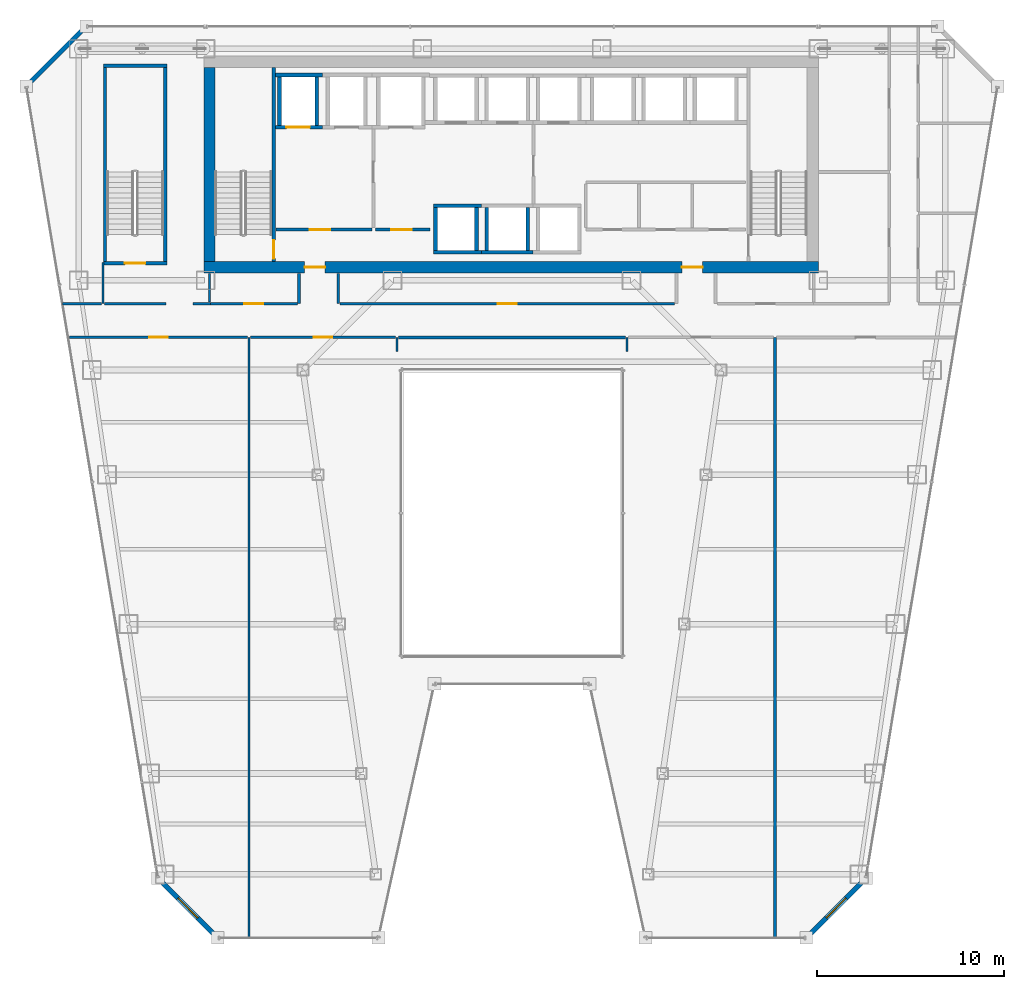
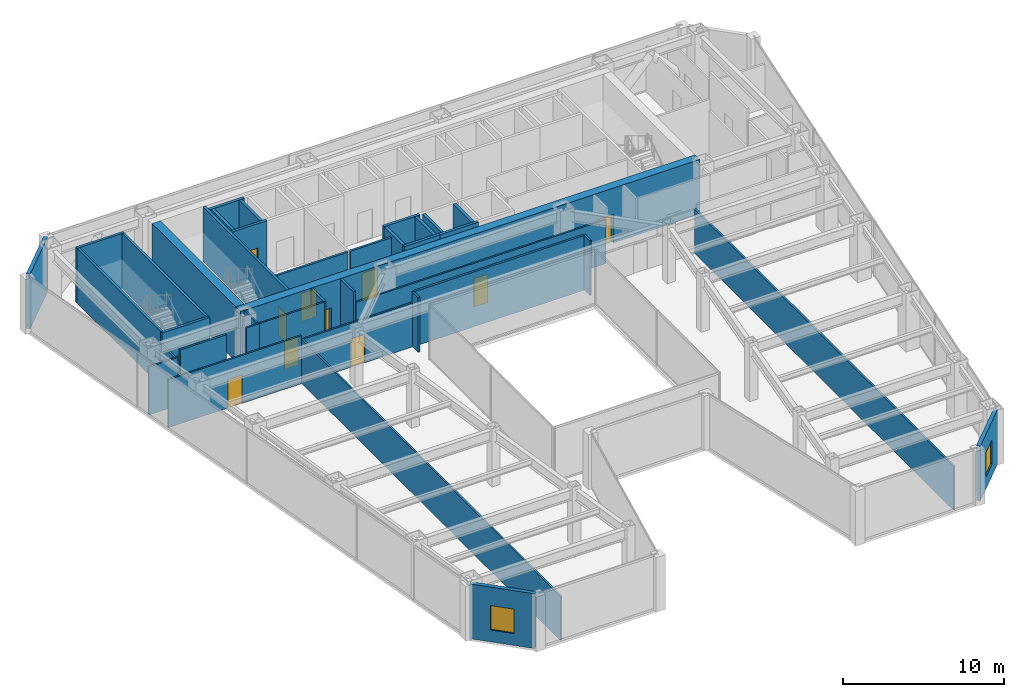
# One storey, part 32 of 37: 39 walls, 11 doors, 2 windows, 13 openings.
"""IFC4 building model written with IfcOpenShell, lengths in metres."""

from ifc_helpers import new_model, si_unit, direction, frame, frame_2d, origin, place, context, subcontext, project, spatial, rectangle, extrude, material, layer, layer_set, type_object, element, fill, save


model = new_model("IFC4")

# Units and contexts
model_context = context("Model", 3, precision=1e-05, world=origin(), true_north=direction((0.0, 1.0)))
body_context = subcontext(model_context, "Body", "Model", "MODEL_VIEW")
ifc_project = project(units=[si_unit("LENGTHUNIT", "METRE"), si_unit("AREAUNIT", "SQUARE_METRE"), si_unit("VOLUMEUNIT", "CUBIC_METRE"), si_unit("PLANEANGLEUNIT", "RADIAN"), si_unit("MASSUNIT", "GRAM", prefix="KILO")], contexts=[model_context])

# Site, building, storey
site_placement = place(None, origin())
site = spatial("IfcSite", under=ifc_project, at=site_placement, CompositionType="ELEMENT")
building_placement = place(site_placement, origin())
building = spatial("IfcBuilding", under=site, at=building_placement, Name="Saevonmaru Cultural Tower", CompositionType="ELEMENT")
storey_placement = place(building_placement, frame((0.0, 0.0, 110.39990234375)))
storey = spatial("IfcBuildingStorey", under=building, at=storey_placement, Name="L23", CompositionType="ELEMENT", Elevation=110.39990234375)

# Wall, openings, doors
ifc_material_1 = material(Name="Concrete C60/75", Category="concrete")
ifc_layer_1 = layer(ifc_material_1, 0.60009765625, Name="Concrete C60/75")
ifc_layer_set_1 = layer_set([ifc_layer_1], Name="Concrete C60/75")
wall_type_1 = type_object("IfcWallType", Name="WL-CORE-600", PredefinedType="SHEAR", material=ifc_layer_set_1)
wall_1_placement = place(storey_placement, frame((13.5, 43.10009765625, 0.0), z_axis=(0.0, 0.0, 1.0), x_axis=(1.0, 0.0, 0.0)))
wall_1 = element("IfcWall", 1, at=wall_1_placement, inside=storey, type_object=wall_type_1, Name="L23 Tower RC core shear wall S", PredefinedType="SHEAR", context=body_context, shape_type="SweptSolid", body=[
    extrude(rectangle(XDim=32.89990234375, YDim=0.60009765625, at=frame_2d((16.449951171875, 0.0))), origin(), (0.0, 0.0, 1.0), 4.150146484375),
])
opening_1_placement = place(wall_1_placement, frame((5.39990234375, 0.0, 0.0)))
opening_1 = element("IfcOpeningElement", 2, at=opening_1_placement, cuts=wall_1, Name="Opening FD-2", PredefinedType="OPENING", context=body_context, shape_type="SweptSolid", body=[
    extrude(rectangle(XDim=1.10009765625, YDim=2.14990234375, at=frame_2d((0.550048828125, 1.074951171875))), frame((0.0, 0.31005859375, 0.0), z_axis=(0.0, -1.0, 0.0), x_axis=(1.0, 0.0, 0.0)), (0.0, 0.0, 1.0), 0.6201171875),
])
opening_2_placement = place(wall_1_placement, frame((25.60009765625, 0.0, 0.0)))
opening_2 = element("IfcOpeningElement", 3, at=opening_2_placement, cuts=wall_1, Name="Opening FD-2", PredefinedType="OPENING", context=body_context, shape_type="SweptSolid", body=[
    extrude(rectangle(XDim=1.10009765625, YDim=2.14990234375, at=frame_2d((0.550048828125, 1.074951171875))), frame((0.0, 0.31005859375, 0.0), z_axis=(0.0, -1.0, 0.0), x_axis=(1.0, 0.0, 0.0)), (0.0, 0.0, 1.0), 0.6201171875),
])
ifc_material_2 = material(Name="Satin Bronze Anodised Aluminium", Category="aluminium")
door_type_1 = type_object("IfcDoorType", Name="DR-FD60-1100", OperationType="SINGLE_SWING_LEFT", PredefinedType="DOOR", material=ifc_material_2)
door_1_placement = place(opening_1_placement, origin())
door_1 = element("IfcDoor", 4, at=door_1_placement, inside=storey, type_object=door_type_1, Name="L23 Core West Lobby Fire Door", OperationType="SINGLE_SWING_LEFT", OverallHeight=2.14990234375, OverallWidth=1.10009765625, PredefinedType="DOOR", context=body_context, shape_type="SweptSolid", body=[
    extrude(rectangle(XDim=1.10009765625, YDim=2.14990234375, at=frame_2d((0.550048828125, 1.074951171875))), frame((0.0, 0.02490234375, 0.0), z_axis=(0.0, -1.0, 0.0), x_axis=(1.0, 0.0, 0.0)), (0.0, 0.0, 1.0), 0.050048828125),
])
fill(opening_1, door_1)
door_2_placement = place(opening_2_placement, origin())
door_2 = element("IfcDoor", 5, at=door_2_placement, inside=storey, type_object=door_type_1, Name="L23 Core East Lobby Fire Door", OperationType="SINGLE_SWING_LEFT", OverallHeight=2.14990234375, OverallWidth=1.10009765625, PredefinedType="DOOR", context=body_context, shape_type="SweptSolid", body=[
    extrude(rectangle(XDim=1.10009765625, YDim=2.14990234375, at=frame_2d((0.550048828125, 1.074951171875))), frame((0.0, 0.02490234375, 0.0), z_axis=(0.0, -1.0, 0.0), x_axis=(1.0, 0.0, 0.0)), (0.0, 0.0, 1.0), 0.050048828125),
])
fill(opening_2, door_2)

# Wall
wall_2_placement = place(storey_placement, frame((13.800048828125, 43.39990234375, 0.0), z_axis=(0.0, 0.0, 1.0), x_axis=(0.0, 1.0, 0.0)))
element("IfcWall", 6, at=wall_2_placement, inside=storey, type_object=wall_type_1, Name="L23 Tower RC core shear wall W", PredefinedType="SHEAR", context=body_context, shape_type="SweptSolid", body=[
    extrude(rectangle(XDim=10.400146484375, YDim=0.60009765625, at=frame_2d((5.2001953125, 0.0))), origin(), (0.0, 0.0, 1.0), 4.150146484375),
])

# Wall, opening, door
ifc_material_3 = material(Name="Gypsum Fireboard Partition", Category="gypsum")
ifc_layer_2 = layer(ifc_material_3, 0.14990234375, Name="Gypsum Fireboard Partition")
ifc_layer_set_2 = layer_set([ifc_layer_2], Name="Gypsum Fireboard Partition")
wall_type_2 = type_object("IfcWallType", Name="WL-CORE-PART-150", PredefinedType="PARTITIONING", material=ifc_layer_set_2)
wall_3_placement = place(storey_placement, frame((17.360107421875, 45.1201171875, 0.0), z_axis=(0.0, 0.0, 1.0), x_axis=(1.0, 0.0, 0.0)))
wall_3 = element("IfcWall", 7, at=wall_3_placement, inside=storey, type_object=wall_type_2, Name="L23 Firefighting Lift Lobby South Wall", PredefinedType="PARTITIONING", context=body_context, shape_type="SweptSolid", body=[
    extrude(rectangle(XDim=5.139892578125, YDim=0.14990234375, at=frame_2d((2.56982421875, 0.0))), origin(), (0.0, 0.0, 1.0), 4.150146484375),
])
opening_3_placement = place(wall_3_placement, frame((1.800048828125, 0.0, 0.0)))
opening_3 = element("IfcOpeningElement", 8, at=opening_3_placement, cuts=wall_3, Name="Opening FD-2", PredefinedType="OPENING", context=body_context, shape_type="SweptSolid", body=[
    extrude(rectangle(XDim=1.10009765625, YDim=2.14990234375, at=frame_2d((0.550048828125, 1.074951171875))), frame((0.0, 0.0849609375, 0.0), z_axis=(0.0, -1.0, 0.0), x_axis=(1.0, 0.0, 0.0)), (0.0, 0.0, 1.0), 0.169921875),
])
door_3_placement = place(opening_3_placement, origin())
door_3 = element("IfcDoor", 9, at=door_3_placement, inside=storey, type_object=door_type_1, Name="L23 Firefighting Lift Lobby South Door", OperationType="SINGLE_SWING_LEFT", OverallHeight=2.14990234375, OverallWidth=1.10009765625, PredefinedType="DOOR", context=body_context, shape_type="SweptSolid", body=[
    extrude(rectangle(XDim=1.10009765625, YDim=2.14990234375, at=frame_2d((0.550048828125, 1.074951171875))), frame((0.0, 0.02490234375, 0.0), z_axis=(0.0, -1.0, 0.0), x_axis=(1.0, 0.0, 0.0)), (0.0, 0.0, 1.0), 0.050048828125),
])
fill(opening_3, door_3)

wall_4_placement = place(storey_placement, frame((22.679931640625, 45.1201171875, 0.0), z_axis=(0.0, 0.0, 1.0), x_axis=(1.0, 0.0, 0.0)))
wall_4 = element("IfcWall", 10, at=wall_4_placement, inside=storey, type_object=wall_type_2, Name="L23 Service Lift Vestibule Wall", PredefinedType="PARTITIONING", context=body_context, shape_type="SweptSolid", body=[
    extrude(rectangle(XDim=2.920166015625, YDim=0.14990234375, at=frame_2d((1.4599609375, 0.0))), origin(), (0.0, 0.0, 1.0), 4.150146484375),
])
opening_4_placement = place(wall_4_placement, frame((0.85009765625, 0.0, 0.0)))
opening_4 = element("IfcOpeningElement", 11, at=opening_4_placement, cuts=wall_4, Name="Opening FD-2", PredefinedType="OPENING", context=body_context, shape_type="SweptSolid", body=[
    extrude(rectangle(XDim=1.10009765625, YDim=2.14990234375, at=frame_2d((0.550048828125, 1.074951171875))), frame((0.0, 0.0849609375, 0.0), z_axis=(0.0, -1.0, 0.0), x_axis=(1.0, 0.0, 0.0)), (0.0, 0.0, 1.0), 0.169921875),
])
door_4_placement = place(opening_4_placement, origin())
door_4 = element("IfcDoor", 12, at=door_4_placement, inside=storey, type_object=door_type_1, Name="L23 Service Lift Vestibule Door", OperationType="SINGLE_SWING_LEFT", OverallHeight=2.14990234375, OverallWidth=1.10009765625, PredefinedType="DOOR", context=body_context, shape_type="SweptSolid", body=[
    extrude(rectangle(XDim=1.10009765625, YDim=2.14990234375, at=frame_2d((0.550048828125, 1.074951171875))), frame((0.0, 0.02490234375, 0.0), z_axis=(0.0, -1.0, 0.0), x_axis=(1.0, 0.0, 0.0)), (0.0, 0.0, 1.0), 0.050048828125),
])
fill(opening_4, door_4)

# Wall, opening, window
ifc_material_4 = material(Name="Granite-Clad Precast Concrete C40/50", Category="masonry")
ifc_layer_3 = layer(ifc_material_4, 0.260009765625, Name="Granite-Clad Precast Concrete C40/50")
ifc_layer_set_3 = layer_set([ifc_layer_3], Name="Granite-Clad Precast Concrete C40/50")
wall_type_3 = type_object("IfcWallType", Name="WL-EXT-SPANDREL-260", PredefinedType="STANDARD", material=ifc_layer_set_3)
wall_5_placement = place(storey_placement, frame((11.162109375, 10.286865234375, 0.0), z_axis=(0.0, 0.0, 1.0), x_axis=(0.70707775441, -0.707135806771, 0.0)))
wall_5 = element("IfcWall", 13, at=wall_5_placement, inside=storey, type_object=wall_type_3, Name="L23 Chamfer Corner Spandrel Wall E1", PredefinedType="STANDARD", context=body_context, shape_type="SweptSolid", body=[
    extrude(rectangle(XDim=4.20556640625, YDim=0.260009765625, at=frame_2d((2.102783203125, 0.0))), origin(), (0.0, 0.0, 1.0), 4.150146484375),
])
opening_5_placement = place(wall_5_placement, frame((1.35302734375, 0.0, 0.89990234375)))
opening_5 = element("IfcOpeningElement", 14, at=opening_5_placement, cuts=wall_5, Name="Opening W-2B", PredefinedType="OPENING", context=body_context, shape_type="SweptSolid", body=[
    extrude(rectangle(XDim=1.5, YDim=1.85009765625, at=frame_2d((0.75, 0.925048828125))), frame((0.0, 0.14013671875, 0.0), z_axis=(0.0, -1.0, 0.0), x_axis=(1.0, 0.0, 0.0)), (0.0, 0.0, 1.0), 0.280029296875),
])
window_type = type_object("IfcWindowType", Name="WN-DECO-1500x1850", PartitioningType="SINGLE_PANEL", PredefinedType="WINDOW", material=ifc_material_2)
window_1_placement = place(opening_5_placement, origin())
window_1 = element("IfcWindow", 15, at=window_1_placement, inside=storey, type_object=window_type, Name="L23 Chamfer Corner Bronze Window E1", OverallHeight=1.85009765625, OverallWidth=1.5, PartitioningType="SINGLE_PANEL", PredefinedType="WINDOW", context=body_context, shape_type="SweptSolid", body=[
    extrude(rectangle(XDim=1.5, YDim=1.85009765625, at=frame_2d((0.75, 0.925048828125))), frame((0.0, 0.030029296875, 0.0), z_axis=(0.0, -1.0, 0.0), x_axis=(1.0, 0.0, 0.0)), (0.0, 0.0, 1.0), 0.06005859375),
])
fill(opening_5, window_1)

wall_6_placement = place(storey_placement, frame((45.8642578125, 7.31298828125, 0.0), z_axis=(0.0, 0.0, 1.0), x_axis=(0.70707775441, 0.707135806771, 0.0)))
wall_6 = element("IfcWall", 16, at=wall_6_placement, inside=storey, type_object=wall_type_3, Name="L23 Chamfer Corner Spandrel Wall E7", PredefinedType="STANDARD", context=body_context, shape_type="SweptSolid", body=[
    extrude(rectangle(XDim=4.20556640625, YDim=0.260009765625, at=frame_2d((2.102783203125, 0.0))), origin(), (0.0, 0.0, 1.0), 4.150146484375),
])
opening_6_placement = place(wall_6_placement, frame((1.35302734375, 0.0, 0.89990234375)))
opening_6 = element("IfcOpeningElement", 17, at=opening_6_placement, cuts=wall_6, Name="Opening W-2B", PredefinedType="OPENING", context=body_context, shape_type="SweptSolid", body=[
    extrude(rectangle(XDim=1.5, YDim=1.85009765625, at=frame_2d((0.75, 0.925048828125))), frame((0.0, 0.14013671875, 0.0), z_axis=(0.0, -1.0, 0.0), x_axis=(1.0, 0.0, 0.0)), (0.0, 0.0, 1.0), 0.280029296875),
])
window_2_placement = place(opening_6_placement, origin())
window_2 = element("IfcWindow", 18, at=window_2_placement, inside=storey, type_object=window_type, Name="L23 Chamfer Corner Bronze Window E7", OverallHeight=1.85009765625, OverallWidth=1.5, PartitioningType="SINGLE_PANEL", PredefinedType="WINDOW", context=body_context, shape_type="SweptSolid", body=[
    extrude(rectangle(XDim=1.5, YDim=1.85009765625, at=frame_2d((0.75, 0.925048828125))), frame((0.0, 0.030029296875, 0.0), z_axis=(0.0, -1.0, 0.0), x_axis=(1.0, 0.0, 0.0)), (0.0, 0.0, 1.0), 0.06005859375),
])
fill(opening_6, window_2)

# Walls
wall_7_placement = place(storey_placement, frame((7.0869140625, 55.886962890625, 0.0), z_axis=(0.0, 0.0, 1.0), x_axis=(-0.707106781187, -0.707106781187, 0.0)))
element("IfcWall", 19, at=wall_7_placement, inside=storey, type_object=wall_type_3, Name="L23 Chamfer Corner Spandrel Wall E11", PredefinedType="STANDARD", context=body_context, shape_type="SweptSolid", body=[
    extrude(rectangle(XDim=4.205810546875, YDim=0.260009765625, at=frame_2d((2.10302734375, 0.0))), origin(), (0.0, 0.0, 1.0), 4.150146484375),
])
ifc_layer_4 = layer(ifc_material_3, 0.14990234375, Name="Gypsum Fireboard Partition")
ifc_layer_set_4 = layer_set([ifc_layer_4], Name="Gypsum Fireboard Partition")
wall_type_4 = type_object("IfcWallType", Name="WL-PART-FIRE-150", PredefinedType="PARTITIONING", material=ifc_layer_set_4)
wall_8_placement = place(storey_placement, frame((8.179931640625, 41.14990234375, 0.0), z_axis=(0.0, 0.0, 1.0), x_axis=(1.0, 0.0, 0.0)))
element("IfcWall", 20, at=wall_8_placement, inside=storey, type_object=wall_type_4, Name="L23 Stair ST-3 South Vestibule Wall", PredefinedType="PARTITIONING", context=body_context, shape_type="SweptSolid", body=[
    extrude(rectangle(XDim=3.300048828125, YDim=0.14990234375, at=frame_2d((1.64990234375, 0.0))), origin(), (0.0, 0.0, 1.0), 4.150146484375),
])
for number, where, z_axis, x_axis, name in (
    (21, (18.60009765625, 41.14990234375, 0.0), (0.0, 0.0, 1.0), (0.0, 1.0, 0.0), "L23 Core Portal Side Wall W1"),
    (22, (20.699951171875, 41.14990234375, 0.0), (0.0, 0.0, 1.0), (0.0, 1.0, 0.0), "L23 Core Portal Side Wall W2"),
):
    element("IfcWall", number, at=place(storey_placement, frame(where, z_axis=z_axis, x_axis=x_axis)), inside=storey, type_object=wall_type_4, Name=name, PredefinedType="PARTITIONING", context=body_context, shape_type="SweptSolid", body=[
        extrude(rectangle(XDim=1.630126953125, YDim=0.14990234375, at=frame_2d((0.81494140625, 0.0))), origin(), (0.0, 0.0, 1.0), 4.150146484375),
    ])
wall_9_placement = place(storey_placement, frame((23.929931640625, 39.35009765625, 0.0), z_axis=(0.0, 0.0, 1.0), x_axis=(1.0, 0.0, 0.0)))
element("IfcWall", 23, at=wall_9_placement, inside=storey, type_object=wall_type_4, Name="L23 North Atrium Corridor Wall", PredefinedType="PARTITIONING", context=body_context, shape_type="SweptSolid", body=[
    extrude(rectangle(XDim=12.14013671875, YDim=0.14990234375, at=frame_2d((6.070068359375, 0.0))), origin(), (0.0, 0.0, 1.0), 4.150146484375),
])
ifc_layer_5 = layer(ifc_material_3, 0.1201171875, Name="Gypsum Fireboard Partition")
ifc_layer_set_5 = layer_set([ifc_layer_5], Name="Gypsum Fireboard Partition")
wall_type_5 = type_object("IfcWallType", Name="WL-PART-GYP-120", PredefinedType="PARTITIONING", material=ifc_layer_set_5)
wall_10_placement = place(storey_placement, frame((12.919921875, 41.14990234375, 0.0), z_axis=(0.0, 0.0, 1.0), x_axis=(1.0, 0.0, 0.0)))
element("IfcWall", 24, at=wall_10_placement, inside=storey, type_object=wall_type_5, Name="L23 NW Inner South Wall", PredefinedType="PARTITIONING", context=body_context, shape_type="SweptSolid", body=[
    extrude(rectangle(XDim=0.93017578125, YDim=0.1201171875, at=frame_2d((0.465087890625, 0.0))), origin(), (0.0, 0.0, 1.0), 4.150146484375),
])
wall_11_placement = place(storey_placement, frame((13.800048828125, 41.22998046875, 0.0), z_axis=(0.0, 0.0, 1.0), x_axis=(0.0, 1.0, 0.0)))
element("IfcWall", 25, at=wall_11_placement, inside=storey, type_object=wall_type_5, Name="L23 NW Inner Core Return", PredefinedType="PARTITIONING", context=body_context, shape_type="SweptSolid", body=[
    extrude(rectangle(XDim=1.550048828125, YDim=0.1201171875, at=frame_2d((0.77490234375, 0.0))), origin(), (0.0, 0.0, 1.0), 4.150146484375),
])
wall_12_placement = place(storey_placement, frame((8.10009765625, 41.14990234375, 0.0), z_axis=(0.0, 0.0, 1.0), x_axis=(0.0, 1.0, 0.0)))
element("IfcWall", 26, at=wall_12_placement, inside=storey, type_object=wall_type_5, Name="L23 NW Stair Return", PredefinedType="PARTITIONING", context=body_context, shape_type="SweptSolid", body=[
    extrude(rectangle(XDim=2.2001953125, YDim=0.1201171875, at=frame_2d((1.10009765625, 0.0))), origin(), (0.0, 0.0, 1.0), 3.335205078125),
])
wall_13_placement = place(storey_placement, frame((5.94189453125, 41.14990234375, 0.0), z_axis=(0.0, 0.0, 1.0), x_axis=(1.0, 0.0, 0.0)))
element("IfcWall", 27, at=wall_13_placement, inside=storey, type_object=wall_type_5, Name="L23 Panoramic Salon Restaurant Corridor Wall", PredefinedType="PARTITIONING", context=body_context, shape_type="SweptSolid", body=[
    extrude(rectangle(XDim=2.078125, YDim=0.1201171875, at=frame_2d((1.0390625, 0.0))), origin(), (0.0, 0.0, 1.0), 3.635009765625),
])

# Wall, opening, door
wall_14_placement = place(storey_placement, frame((13.85009765625, 41.14990234375, 0.0), z_axis=(0.0, 0.0, 1.0), x_axis=(1.0, 0.0, 0.0)))
wall_14 = element("IfcWall", 28, at=wall_14_placement, inside=storey, type_object=wall_type_5, Name="L23 Museum Espresso Cafe Corridor Wall", PredefinedType="PARTITIONING", context=body_context, shape_type="SweptSolid", body=[
    extrude(rectangle(XDim=4.65478515625, YDim=0.1201171875, at=frame_2d((2.327392578125, 0.0))), origin(), (0.0, 0.0, 1.0), 4.150146484375),
])
opening_7_placement = place(wall_14_placement, frame((1.826904296875, 0.0, 0.0)))
opening_7 = element("IfcOpeningElement", 29, at=opening_7_placement, cuts=wall_14, Name="Opening ID-1B", PredefinedType="OPENING", context=body_context, shape_type="SweptSolid", body=[
    extrude(rectangle(XDim=1.0, YDim=2.14990234375, at=frame_2d((0.5, 1.074951171875))), frame((0.0, 0.070068359375, 0.0), z_axis=(0.0, -1.0, 0.0), x_axis=(1.0, 0.0, 0.0)), (0.0, 0.0, 1.0), 0.14013671875),
])
ifc_material_5 = material(Name="Acoustic Stained Oak Timber", Category="wood")
door_type_2 = type_object("IfcDoorType", Name="DR-INT-1000", OperationType="SINGLE_SWING_RIGHT", PredefinedType="DOOR", material=ifc_material_5)
door_5_placement = place(opening_7_placement, origin())
door_5 = element("IfcDoor", 30, at=door_5_placement, inside=storey, type_object=door_type_2, Name="L23 Museum Espresso Cafe Door", OperationType="SINGLE_SWING_LEFT", OverallHeight=2.14990234375, OverallWidth=1.0, PredefinedType="DOOR", context=body_context, shape_type="SweptSolid", body=[
    extrude(rectangle(XDim=1.0, YDim=2.14990234375, at=frame_2d((0.5, 1.074951171875))), frame((0.0, 0.02490234375, 0.0), z_axis=(0.0, -1.0, 0.0), x_axis=(1.0, 0.0, 0.0)), (0.0, 0.0, 1.0), 0.050048828125),
])
fill(opening_7, door_5)

wall_15_placement = place(storey_placement, frame((20.794921875, 41.14990234375, 0.0), z_axis=(0.0, 0.0, 1.0), x_axis=(1.0, 0.0, 0.0)))
wall_15 = element("IfcWall", 31, at=wall_15_placement, inside=storey, type_object=wall_type_5, Name="L23 Panoramic Salon Restaurant Corridor Wall", PredefinedType="PARTITIONING", context=body_context, shape_type="SweptSolid", body=[
    extrude(rectangle(XDim=17.91015625, YDim=0.1201171875, at=frame_2d((8.955078125, 0.0))), origin(), (0.0, 0.0, 1.0), 3.335205078125),
])
opening_8_placement = place(wall_15_placement, frame((8.455078125, 0.0, 0.0)))
opening_8 = element("IfcOpeningElement", 32, at=opening_8_placement, cuts=wall_15, Name="Opening ID-1B", PredefinedType="OPENING", context=body_context, shape_type="SweptSolid", body=[
    extrude(rectangle(XDim=1.0, YDim=2.14990234375, at=frame_2d((0.5, 1.074951171875))), frame((0.0, 0.070068359375, 0.0), z_axis=(0.0, -1.0, 0.0), x_axis=(1.0, 0.0, 0.0)), (0.0, 0.0, 1.0), 0.14013671875),
])
door_6_placement = place(opening_8_placement, origin())
door_6 = element("IfcDoor", 33, at=door_6_placement, inside=storey, type_object=door_type_2, Name="L23 Panoramic Salon Restaurant Door", OperationType="SINGLE_SWING_RIGHT", OverallHeight=2.14990234375, OverallWidth=1.0, PredefinedType="DOOR", context=body_context, shape_type="SweptSolid", body=[
    extrude(rectangle(XDim=1.0, YDim=2.14990234375, at=frame_2d((0.5, 1.074951171875))), frame((0.0, 0.02490234375, 0.0), z_axis=(0.0, -1.0, 0.0), x_axis=(1.0, 0.0, 0.0)), (0.0, 0.0, 1.0), 0.050048828125),
])
fill(opening_8, door_6)

# Walls
wall_16_placement = place(storey_placement, frame((15.919921875, 7.205078125, 0.0), z_axis=(0.0, 0.0, 1.0), x_axis=(0.0, 1.0, 0.0)))
element("IfcWall", 34, at=wall_16_placement, inside=storey, type_object=wall_type_5, Name="L23 West Bay Divider 1", PredefinedType="PARTITIONING", context=body_context, shape_type="SweptSolid", body=[
    extrude(rectangle(XDim=32.14501953125, YDim=0.1201171875, at=frame_2d((16.072509765625, 0.0))), origin(), (0.0, 0.0, 1.0), 3.335205078125),
])
for number, where, z_axis, x_axis, name in (
    (35, (23.85009765625, 38.60009765625, 0.0), (0.0, 0.0, 1.0), (0.0, 1.0, 0.0), "L23 North Atrium West Wall"),
    (36, (36.14990234375, 38.60009765625, 0.0), (0.0, 0.0, 1.0), (0.0, 1.0, 0.0), "L23 North Atrium East Wall"),
):
    element("IfcWall", number, at=place(storey_placement, frame(where, z_axis=z_axis, x_axis=x_axis)), inside=storey, type_object=wall_type_5, Name=name, PredefinedType="PARTITIONING", context=body_context, shape_type="SweptSolid", body=[
        extrude(rectangle(XDim=0.75, YDim=0.1201171875, at=frame_2d((0.375, 0.0))), origin(), (0.0, 0.0, 1.0), 4.150146484375),
    ])

# Wall, opening, door
wall_17_placement = place(storey_placement, frame((6.304931640625, 39.35009765625, 0.0), z_axis=(0.0, 0.0, 1.0), x_axis=(1.0, 0.0, 0.0)))
wall_17 = element("IfcWall", 37, at=wall_17_placement, inside=storey, type_object=wall_type_5, Name="L23 Museum Espresso Cafe Corridor Wall", PredefinedType="PARTITIONING", context=body_context, shape_type="SweptSolid", body=[
    extrude(rectangle(XDim=9.53515625, YDim=0.1201171875, at=frame_2d((4.767578125, 0.0))), origin(), (0.0, 0.0, 1.0), 3.635009765625),
])
opening_9_placement = place(wall_17_placement, frame((4.26806640625, 0.0, 0.0)))
opening_9 = element("IfcOpeningElement", 38, at=opening_9_placement, cuts=wall_17, Name="Opening ID-1B", PredefinedType="OPENING", context=body_context, shape_type="SweptSolid", body=[
    extrude(rectangle(XDim=1.0, YDim=2.14990234375, at=frame_2d((0.5, 1.074951171875))), frame((0.0, 0.070068359375, 0.0), z_axis=(0.0, -1.0, 0.0), x_axis=(1.0, 0.0, 0.0)), (0.0, 0.0, 1.0), 0.14013671875),
])
door_7_placement = place(opening_9_placement, origin())
door_7 = element("IfcDoor", 39, at=door_7_placement, inside=storey, type_object=door_type_2, Name="L23 Museum Espresso Cafe Door", OperationType="SINGLE_SWING_RIGHT", OverallHeight=2.14990234375, OverallWidth=1.0, PredefinedType="DOOR", context=body_context, shape_type="SweptSolid", body=[
    extrude(rectangle(XDim=1.0, YDim=2.14990234375, at=frame_2d((0.5, 1.074951171875))), frame((0.0, 0.02490234375, 0.0), z_axis=(0.0, -1.0, 0.0), x_axis=(1.0, 0.0, 0.0)), (0.0, 0.0, 1.0), 0.050048828125),
])
fill(opening_9, door_7)

wall_18_placement = place(storey_placement, frame((16.0, 39.35009765625, 0.0), z_axis=(0.0, 0.0, 1.0), x_axis=(1.0, 0.0, 0.0)))
wall_18 = element("IfcWall", 40, at=wall_18_placement, inside=storey, type_object=wall_type_5, Name="L23 Panoramic Salon Restaurant Corridor Wall", PredefinedType="PARTITIONING", context=body_context, shape_type="SweptSolid", body=[
    extrude(rectangle(XDim=7.77001953125, YDim=0.1201171875, at=frame_2d((3.885009765625, 0.0))), origin(), (0.0, 0.0, 1.0), 3.335205078125),
])
opening_10_placement = place(wall_18_placement, frame((3.385009765625, 0.0, 0.0)))
opening_10 = element("IfcOpeningElement", 41, at=opening_10_placement, cuts=wall_18, Name="Opening ID-1B", PredefinedType="OPENING", context=body_context, shape_type="SweptSolid", body=[
    extrude(rectangle(XDim=1.0, YDim=2.14990234375, at=frame_2d((0.5, 1.074951171875))), frame((0.0, 0.070068359375, 0.0), z_axis=(0.0, -1.0, 0.0), x_axis=(1.0, 0.0, 0.0)), (0.0, 0.0, 1.0), 0.14013671875),
])
door_8_placement = place(opening_10_placement, origin())
door_8 = element("IfcDoor", 42, at=door_8_placement, inside=storey, type_object=door_type_2, Name="L23 Panoramic Salon Restaurant Door", OperationType="SINGLE_SWING_LEFT", OverallHeight=2.14990234375, OverallWidth=1.0, PredefinedType="DOOR", context=body_context, shape_type="SweptSolid", body=[
    extrude(rectangle(XDim=1.0, YDim=2.14990234375, at=frame_2d((0.5, 1.074951171875))), frame((0.0, 0.02490234375, 0.0), z_axis=(0.0, -1.0, 0.0), x_axis=(1.0, 0.0, 0.0)), (0.0, 0.0, 1.0), 0.050048828125),
])
fill(opening_10, door_8)

# Wall
ifc_layer_6 = layer(ifc_material_3, 0.135009765625, Name="Gypsum Fireboard Partition")
ifc_layer_set_6 = layer_set([ifc_layer_6], Name="Gypsum Fireboard Partition")
wall_type_6 = type_object("IfcWallType", Name="WL-PART-GYP-135", PredefinedType="PARTITIONING", material=ifc_layer_set_6)
wall_19_placement = place(storey_placement, frame((44.080078125, 7.205078125, 0.0), z_axis=(0.0, 0.0, 1.0), x_axis=(0.0, 1.0, 0.0)))
element("IfcWall", 43, at=wall_19_placement, inside=storey, type_object=wall_type_6, Name="L23 East Bay Divider 1", PredefinedType="PARTITIONING", context=body_context, shape_type="SweptSolid", body=[
    extrude(rectangle(XDim=32.14501953125, YDim=0.135009765625, at=frame_2d((16.072509765625, 0.0))), origin(), (0.0, 0.0, 1.0), 3.335205078125),
])

# Wall, opening, door
ifc_material_6 = material(Name="Concrete C40/50", Category="concrete")
ifc_layer_7 = layer(ifc_material_6, 0.199951171875, Name="Concrete C40/50")
ifc_layer_set_7 = layer_set([ifc_layer_7], Name="Concrete C40/50")
wall_type_7 = type_object("IfcWallType", Name="WL-SHAFT-200", PredefinedType="SHEAR", material=ifc_layer_set_7)
wall_20_placement = place(storey_placement, frame((17.330078125, 50.60009765625, 0.0), z_axis=(0.0, 0.0, 1.0), x_axis=(1.0, 0.0, 0.0)))
wall_20 = element("IfcWall", 44, at=wall_20_placement, inside=storey, type_object=wall_type_7, Name="L23 Lift FFL-1 Hoistway Wall S", PredefinedType="SHEAR", context=body_context, shape_type="SweptSolid", body=[
    extrude(rectangle(XDim=2.52001953125, YDim=0.199951171875, at=frame_2d((1.260009765625, 0.0))), origin(), (0.0, 0.0, 1.0), 4.150146484375),
])
opening_11_placement = place(wall_20_placement, frame((0.594970703125, 0.0, 0.0)))
opening_11 = element("IfcOpeningElement", 45, at=opening_11_placement, cuts=wall_20, Name="Opening LD-2", PredefinedType="OPENING", context=body_context, shape_type="SweptSolid", body=[
    extrude(rectangle(XDim=1.25, YDim=2.300048828125, at=frame_2d((0.625, 1.14990234375))), frame((0.0, 0.10986328125, 0.0), z_axis=(0.0, -1.0, 0.0), x_axis=(1.0, 0.0, 0.0)), (0.0, 0.0, 1.0), 0.219970703125),
])
ifc_material_7 = material(Name="Stainless Steel 316", Category="steel")
door_type_3 = type_object("IfcDoorType", Name="DR-LIFT-1250", OperationType="SLIDING_TO_LEFT", PredefinedType="DOOR", material=ifc_material_7)
door_9_placement = place(opening_11_placement, origin())
door_9 = element("IfcDoor", 46, at=door_9_placement, inside=storey, type_object=door_type_3, Name="L23 Lift FFL-1 Sliding Landing Door", OperationType="SLIDING_TO_LEFT", OverallHeight=2.300048828125, OverallWidth=1.25, PredefinedType="DOOR", context=body_context, shape_type="SweptSolid", body=[
    extrude(rectangle(XDim=1.25, YDim=2.300048828125, at=frame_2d((0.625, 1.14990234375))), frame((0.0, 0.02490234375, 0.0), z_axis=(0.0, -1.0, 0.0), x_axis=(1.0, 0.0, 0.0)), (0.0, 0.0, 1.0), 0.050048828125),
])
fill(opening_11, door_9)

# Walls
wall_21_placement = place(storey_placement, frame((17.330078125, 53.39990234375, 0.0), z_axis=(0.0, 0.0, 1.0), x_axis=(1.0, 0.0, 0.0)))
element("IfcWall", 47, at=wall_21_placement, inside=storey, type_object=wall_type_7, Name="L23 Lift FFL-1 Hoistway Wall N", PredefinedType="SHEAR", context=body_context, shape_type="SweptSolid", body=[
    extrude(rectangle(XDim=2.52001953125, YDim=0.199951171875, at=frame_2d((1.260009765625, 0.0))), origin(), (0.0, 0.0, 1.0), 4.150146484375),
])
for number, where, z_axis, x_axis, name in (
    (48, (17.550048828125, 50.699951171875, 0.0), (0.0, 0.0, 1.0), (0.0, 1.0, 0.0), "L23 Lift FFL-1 Hoistway Wall W"),
    (49, (19.550048828125, 50.699951171875, 0.0), (0.0, 0.0, 1.0), (0.0, 1.0, 0.0), "L23 Lift FFL-1 Hoistway Wall E"),
):
    element("IfcWall", number, at=place(storey_placement, frame(where, z_axis=z_axis, x_axis=x_axis)), inside=storey, type_object=wall_type_7, Name=name, PredefinedType="SHEAR", context=body_context, shape_type="SweptSolid", body=[
        extrude(rectangle(XDim=2.60009765625, YDim=0.199951171875, at=frame_2d((1.300048828125, 0.0))), origin(), (0.0, 0.0, 1.0), 4.150146484375),
    ])
for number, where, z_axis, x_axis, name in (
    (50, (25.800048828125, 43.89990234375, 0.0), (0.0, 0.0, 1.0), (1.0, 0.0, 0.0), "L23 Lift PL-M1 Hoistway Wall S"),
    (51, (25.800048828125, 46.39990234375, 0.0), (0.0, 0.0, 1.0), (1.0, 0.0, 0.0), "L23 Lift PL-M1 Hoistway Wall N"),
):
    element("IfcWall", number, at=place(storey_placement, frame(where, z_axis=z_axis, x_axis=x_axis)), inside=storey, type_object=wall_type_7, Name=name, PredefinedType="SHEAR", context=body_context, shape_type="SweptSolid", body=[
        extrude(rectangle(XDim=2.574951171875, YDim=0.199951171875, at=frame_2d((1.28759765625, 0.0))), origin(), (0.0, 0.0, 1.0), 4.150146484375),
    ])
for number, where, z_axis, x_axis, name in (
    (52, (25.89990234375, 44.0, 0.0), (0.0, 0.0, 1.0), (0.0, 1.0, 0.0), "L23 Lift PL-M1 Hoistway Wall W"),
    (53, (28.10009765625, 44.0, 0.0), (0.0, 0.0, 1.0), (0.0, 1.0, 0.0), "L23 Lift PL-M1 Hoistway Wall E"),
):
    element("IfcWall", number, at=place(storey_placement, frame(where, z_axis=z_axis, x_axis=x_axis)), inside=storey, type_object=wall_type_7, Name=name, PredefinedType="SHEAR", context=body_context, shape_type="SweptSolid", body=[
        extrude(rectangle(XDim=2.300048828125, YDim=0.199951171875, at=frame_2d((1.14990234375, 0.0))), origin(), (0.0, 0.0, 1.0), 4.150146484375),
    ])
wall_22_placement = place(storey_placement, frame((28.375, 43.89990234375, 0.0), z_axis=(0.0, 0.0, 1.0), x_axis=(1.0, 0.0, 0.0)))
element("IfcWall", 54, at=wall_22_placement, inside=storey, type_object=wall_type_7, Name="L23 Lift PL-M2 Hoistway Wall S", PredefinedType="SHEAR", context=body_context, shape_type="SweptSolid", body=[
    extrude(rectangle(XDim=2.75, YDim=0.199951171875, at=frame_2d((1.375, 0.0))), origin(), (0.0, 0.0, 1.0), 4.150146484375),
])
for number, where, z_axis, x_axis, name in (
    (55, (28.64990234375, 44.0, 0.0), (0.0, 0.0, 1.0), (0.0, 1.0, 0.0), "L23 Lift PL-M2 Hoistway Wall W"),
    (56, (30.85009765625, 44.0, 0.0), (0.0, 0.0, 1.0), (0.0, 1.0, 0.0), "L23 Lift PL-M2 Hoistway Wall E"),
):
    element("IfcWall", number, at=place(storey_placement, frame(where, z_axis=z_axis, x_axis=x_axis)), inside=storey, type_object=wall_type_7, Name=name, PredefinedType="SHEAR", context=body_context, shape_type="SweptSolid", body=[
        extrude(rectangle(XDim=2.300048828125, YDim=0.199951171875, at=frame_2d((1.14990234375, 0.0))), origin(), (0.0, 0.0, 1.0), 4.150146484375),
    ])

# Wall, opening, door
ifc_layer_8 = layer(ifc_material_6, 0.179931640625, Name="Concrete C40/50")
ifc_layer_set_8 = layer_set([ifc_layer_8], Name="Concrete C40/50")
wall_type_8 = type_object("IfcWallType", Name="WL-STSHAFT-180", PredefinedType="SHEAR", material=ifc_layer_set_8)
wall_23_placement = place(storey_placement, frame((17.239990234375, 43.39990234375, 0.0), z_axis=(0.0, 0.0, 1.0), x_axis=(0.0, 1.0, 0.0)))
wall_23 = element("IfcWall", 57, at=wall_23_placement, inside=storey, type_object=wall_type_8, Name="L23 Stair ST-1 Structural Shaft Wall 1", PredefinedType="SHEAR", context=body_context, shape_type="SweptSolid", body=[
    extrude(rectangle(XDim=10.400146484375, YDim=0.179931640625, at=frame_2d((5.2001953125, 0.0))), origin(), (0.0, 0.0, 1.0), 4.150146484375),
])
opening_12_placement = place(wall_23_placement, frame((0.159912109375, 0.0, 0.0)))
opening_12 = element("IfcOpeningElement", 58, at=opening_12_placement, cuts=wall_23, Name="Opening FD-3", PredefinedType="OPENING", context=body_context, shape_type="SweptSolid", body=[
    extrude(rectangle(XDim=1.0, YDim=2.14990234375, at=frame_2d((0.5, 1.074951171875))), frame((0.0, 0.10009765625, 0.0), z_axis=(0.0, -1.0, 0.0), x_axis=(1.0, 0.0, 0.0)), (0.0, 0.0, 1.0), 0.199951171875),
])
door_type_4 = type_object("IfcDoorType", Name="DR-FD60-1000", OperationType="SINGLE_SWING_RIGHT", PredefinedType="DOOR", material=ifc_material_2)
door_10_placement = place(opening_12_placement, origin())
door_10 = element("IfcDoor", 59, at=door_10_placement, inside=storey, type_object=door_type_4, Name="L23 Protected Stair ST-1 Fire Door", OperationType="SINGLE_SWING_RIGHT", OverallHeight=2.14990234375, OverallWidth=1.0, PredefinedType="DOOR", context=body_context, shape_type="SweptSolid", body=[
    extrude(rectangle(XDim=1.0, YDim=2.14990234375, at=frame_2d((0.5, 1.074951171875))), frame((0.0, 0.02490234375, 0.0), z_axis=(0.0, -1.0, 0.0), x_axis=(1.0, 0.0, 0.0)), (0.0, 0.0, 1.0), 0.050048828125),
])
fill(opening_12, door_10)

wall_24_placement = place(storey_placement, frame((8.1201171875, 43.31005859375, 0.0), z_axis=(0.0, 0.0, 1.0), x_axis=(1.0, 0.0, 0.0)))
wall_24 = element("IfcWall", 60, at=wall_24_placement, inside=storey, type_object=wall_type_8, Name="L23 Stair ST-3 Structural Shaft Wall 1", PredefinedType="SHEAR", context=body_context, shape_type="SweptSolid", body=[
    extrude(rectangle(XDim=3.409912109375, YDim=0.179931640625, at=frame_2d((1.705078125, 0.0))), origin(), (0.0, 0.0, 1.0), 4.150146484375),
])
opening_13_placement = place(wall_24_placement, frame((1.14990234375, 0.0, 0.0)))
opening_13 = element("IfcOpeningElement", 61, at=opening_13_placement, cuts=wall_24, Name="Opening FD-2", PredefinedType="OPENING", context=body_context, shape_type="SweptSolid", body=[
    extrude(rectangle(XDim=1.10009765625, YDim=2.14990234375, at=frame_2d((0.550048828125, 1.074951171875))), frame((0.0, 0.10009765625, 0.0), z_axis=(0.0, -1.0, 0.0), x_axis=(1.0, 0.0, 0.0)), (0.0, 0.0, 1.0), 0.199951171875),
])
door_11_placement = place(opening_13_placement, origin())
door_11 = element("IfcDoor", 62, at=door_11_placement, inside=storey, type_object=door_type_1, Name="L23 Protected Stair ST-3 Fire Door", OperationType="SINGLE_SWING_LEFT", OverallHeight=2.14990234375, OverallWidth=1.10009765625, PredefinedType="DOOR", context=body_context, shape_type="SweptSolid", body=[
    extrude(rectangle(XDim=1.10009765625, YDim=2.14990234375, at=frame_2d((0.550048828125, 1.074951171875))), frame((0.0, 0.02490234375, 0.0), z_axis=(0.0, -1.0, 0.0), x_axis=(1.0, 0.0, 0.0)), (0.0, 0.0, 1.0), 0.050048828125),
])
fill(opening_13, door_11)

# Walls
wall_25_placement = place(storey_placement, frame((11.43994140625, 43.39990234375, 0.0), z_axis=(0.0, 0.0, 1.0), x_axis=(0.0, 1.0, 0.0)))
element("IfcWall", 63, at=wall_25_placement, inside=storey, type_object=wall_type_8, Name="L23 Stair ST-3 Structural Shaft Wall 2", PredefinedType="SHEAR", context=body_context, shape_type="SweptSolid", body=[
    extrude(rectangle(XDim=10.400146484375, YDim=0.179931640625, at=frame_2d((5.2001953125, 0.0))), origin(), (0.0, 0.0, 1.0), 4.150146484375),
])
wall_26_placement = place(storey_placement, frame((11.530029296875, 53.889892578125, 0.0), z_axis=(0.0, 0.0, 1.0), x_axis=(-1.0, 0.0, 0.0)))
element("IfcWall", 64, at=wall_26_placement, inside=storey, type_object=wall_type_8, Name="L23 Stair ST-3 Structural Shaft Wall 3", PredefinedType="SHEAR", context=body_context, shape_type="SweptSolid", body=[
    extrude(rectangle(XDim=3.409912109375, YDim=0.179931640625, at=frame_2d((1.705078125, 0.0))), origin(), (0.0, 0.0, 1.0), 4.150146484375),
])
wall_27_placement = place(storey_placement, frame((8.2099609375, 53.800048828125, 0.0), z_axis=(0.0, 0.0, 1.0), x_axis=(0.0, -1.0, 0.0)))
element("IfcWall", 65, at=wall_27_placement, inside=storey, type_object=wall_type_8, Name="L23 Stair ST-3 Structural Shaft Wall 4", PredefinedType="SHEAR", context=body_context, shape_type="SweptSolid", body=[
    extrude(rectangle(XDim=10.400146484375, YDim=0.179931640625, at=frame_2d((5.2001953125, 0.0))), origin(), (0.0, 0.0, 1.0), 4.150146484375),
])

save(model, "model.ifc")
